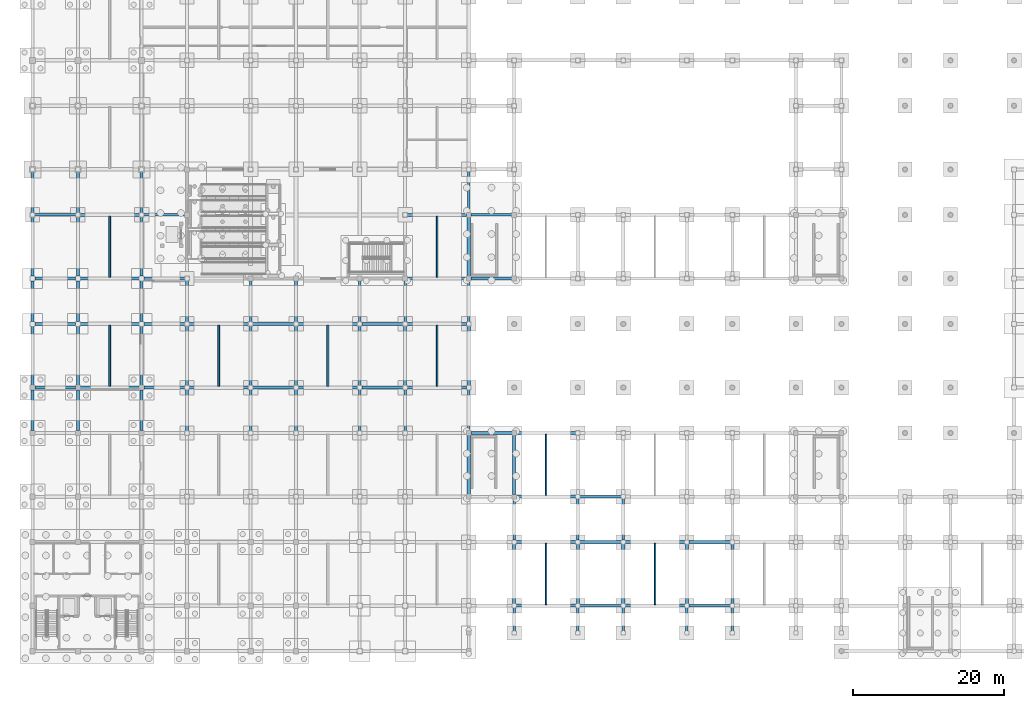
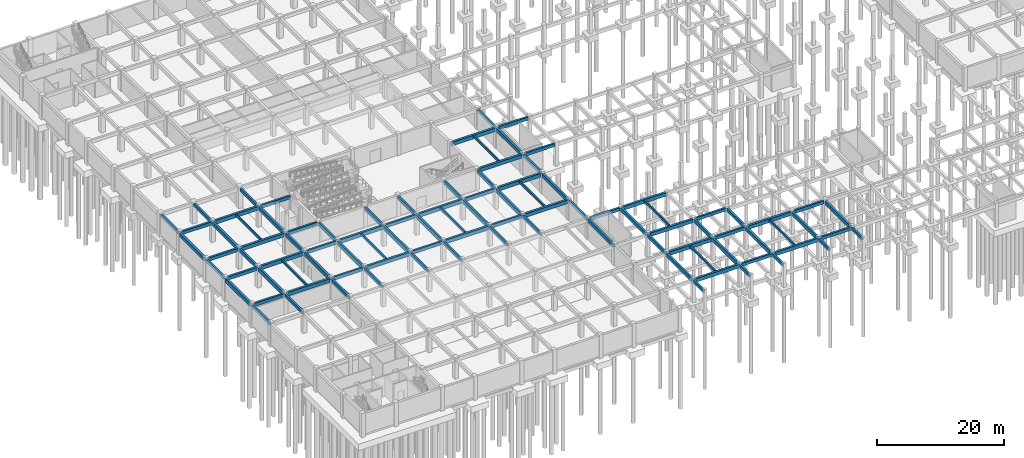
# One storey, part 18 of 40: 97 beams.
"""IFC4 building model written with IfcOpenShell, lengths in metres."""

from ifc_helpers import new_model, si_unit, direction, frame, origin, origin_2d, place, context, subcontext, project, spatial, rectangle, extrude, material, material_profile, profile_set, type_object, element, save


model = new_model("IFC4")

# Units and contexts
model_context = context("Model", 3, precision=1e-05, world=origin(), true_north=direction((0.0, 1.0)))
body_context = subcontext(model_context, "Body", "Model", "MODEL_VIEW")
ifc_project = project(units=[si_unit("LENGTHUNIT", "METRE"), si_unit("AREAUNIT", "SQUARE_METRE"), si_unit("VOLUMEUNIT", "CUBIC_METRE"), si_unit("PLANEANGLEUNIT", "RADIAN"), si_unit("MASSUNIT", "GRAM", prefix="KILO"), si_unit("THERMODYNAMICTEMPERATUREUNIT", "KELVIN")], contexts=[model_context])

# Site, building, storey
site_placement = place(None, origin())
site = spatial("IfcSite", under=ifc_project, at=site_placement, CompositionType="ELEMENT")
building_placement = place(site_placement, origin())
building = spatial("IfcBuilding", under=site, at=building_placement, Name="Thalorik Housing Commons", CompositionType="ELEMENT")
storey_placement = place(building_placement, frame((0.0, 0.0, -4.199951171875)))
storey = spatial("IfcBuildingStorey", under=building, at=storey_placement, Name="B1", CompositionType="ELEMENT", Elevation=-4.199951171875)

# Beams
ifc_material = material(Name="Precast concrete C40/50", Category="concrete")
ifc_material_profile_1 = material_profile(ifc_material, rectangle(XDim=0.35009765625, YDim=0.60009765625, at=origin_2d()), Name="PC 350x600", Category="concrete")
ifc_profile_set_1 = profile_set([ifc_material_profile_1], Name="Precast concrete C40/50")
beam_type_1 = type_object("IfcBeamType", Name="STR-BM-PC350x600", PredefinedType="BEAM", material=ifc_profile_set_1)
for number, where, z_axis, x_axis, name in (
    (1, (80.64990234375, 14.39990234375, 3.599853515625), (1.0, 0.0, 0.0), (0.0, 1.0, 0.0), "B1 Beam B-600"),
    (2, (95.050048828125, 14.39990234375, 3.599853515625), (1.0, 0.0, 0.0), (0.0, 1.0, 0.0), "B1 Beam B-600"),
    (3, (80.64990234375, 22.800048828125, 3.599853515625), (1.0, 0.0, 0.0), (0.0, 1.0, 0.0), "B1 Beam B-600"),
    (4, (95.050048828125, 22.800048828125, 3.599853515625), (1.0, 0.0, 0.0), (0.0, 1.0, 0.0), "B1 Beam B-600"),
    (5, (80.64990234375, 28.800048828125, 3.599853515625), (1.0, 0.0, 0.0), (0.0, 1.0, 0.0), "B1 Beam B-600"),
):
    element("IfcBeam", number, at=place(storey_placement, frame(where, z_axis=z_axis, x_axis=x_axis)), inside=storey, type_object=beam_type_1, Name=name, PredefinedType="BEAM", context=body_context, shape_type="SweptSolid", body=[
        extrude(rectangle(XDim=0.35009765625, YDim=0.60009765625, at=origin_2d()), origin(), (0.0, 0.0, 1.0), 5.5),
    ])
beam_1_placement = place(storey_placement, frame((66.27490234375, 37.199951171875, 3.599853515625), z_axis=(1.0, 0.0, 0.0), x_axis=(0.0, 1.0, 0.0)))
element("IfcBeam", 6, at=beam_1_placement, inside=storey, type_object=beam_type_1, Name="B1 Beam B-600", PredefinedType="BEAM", context=body_context, shape_type="SweptSolid", body=[
    extrude(rectangle(XDim=0.35009765625, YDim=0.60009765625, at=origin_2d()), origin(), (0.0, 0.0, 1.0), 5.47509765625),
])
beam_2_placement = place(storey_placement, frame((8.699951171875, 43.199951171875, 3.599853515625), z_axis=(1.0, 0.0, 0.0), x_axis=(0.0, 1.0, 0.0)))
element("IfcBeam", 7, at=beam_2_placement, inside=storey, type_object=beam_type_1, Name="B1 Beam B-600", PredefinedType="BEAM", context=body_context, shape_type="SweptSolid", body=[
    extrude(rectangle(XDim=0.35009765625, YDim=0.60009765625, at=origin_2d()), origin(), (0.0, 0.0, 1.0), 5.400146484375),
])
beam_3_placement = place(storey_placement, frame((23.10009765625, 43.199951171875, 3.599853515625), z_axis=(1.0, 0.0, 0.0), x_axis=(0.0, 1.0, 0.0)))
element("IfcBeam", 8, at=beam_3_placement, inside=storey, type_object=beam_type_1, Name="B1 Beam B-600", PredefinedType="BEAM", context=body_context, shape_type="SweptSolid", body=[
    extrude(rectangle(XDim=0.35009765625, YDim=0.60009765625, at=origin_2d()), origin(), (0.0, 0.0, 1.0), 5.4248046875),
])
for number, where, z_axis, x_axis, name in (
    (9, (37.47509765625, 43.199951171875, 3.599853515625), (1.0, 0.0, 0.0), (0.0, 1.0, 0.0), "B1 Beam B-600"),
    (10, (51.875, 43.199951171875, 3.599853515625), (1.0, 0.0, 0.0), (0.0, 1.0, 0.0), "B1 Beam B-600"),
):
    element("IfcBeam", number, at=place(storey_placement, frame(where, z_axis=z_axis, x_axis=x_axis)), inside=storey, type_object=beam_type_1, Name=name, PredefinedType="BEAM", context=body_context, shape_type="SweptSolid", body=[
        extrude(rectangle(XDim=0.35009765625, YDim=0.60009765625, at=origin_2d()), origin(), (0.0, 0.0, 1.0), 5.449951171875),
    ])
beam_4_placement = place(storey_placement, frame((8.699951171875, 51.60009765625, 3.599853515625), z_axis=(1.0, 0.0, 0.0), x_axis=(0.0, 1.0, 0.0)))
element("IfcBeam", 11, at=beam_4_placement, inside=storey, type_object=beam_type_1, Name="B1 Beam B-600", PredefinedType="BEAM", context=body_context, shape_type="SweptSolid", body=[
    extrude(rectangle(XDim=0.35009765625, YDim=0.60009765625, at=origin_2d()), origin(), (0.0, 0.0, 1.0), 5.400146484375),
])
beam_5_placement = place(storey_placement, frame((23.10009765625, 51.60009765625, 3.599853515625), z_axis=(1.0, 0.0, 0.0), x_axis=(0.0, 1.0, 0.0)))
element("IfcBeam", 12, at=beam_5_placement, inside=storey, type_object=beam_type_1, Name="B1 Beam B-600", PredefinedType="BEAM", context=body_context, shape_type="SweptSolid", body=[
    extrude(rectangle(XDim=0.35009765625, YDim=0.60009765625, at=origin_2d()), origin(), (0.0, 0.0, 1.0), 5.4248046875),
])
for number, where, z_axis, x_axis, name in (
    (13, (37.47509765625, 51.60009765625, 3.599853515625), (1.0, 0.0, 0.0), (0.0, 1.0, 0.0), "B1 Beam B-600"),
    (14, (51.875, 51.60009765625, 3.599853515625), (1.0, 0.0, 0.0), (0.0, 1.0, 0.0), "B1 Beam B-600"),
):
    element("IfcBeam", number, at=place(storey_placement, frame(where, z_axis=z_axis, x_axis=x_axis)), inside=storey, type_object=beam_type_1, Name=name, PredefinedType="BEAM", context=body_context, shape_type="SweptSolid", body=[
        extrude(rectangle(XDim=0.35009765625, YDim=0.60009765625, at=origin_2d()), origin(), (0.0, 0.0, 1.0), 5.449951171875),
    ])
beam_6_placement = place(storey_placement, frame((8.699951171875, 57.60009765625, 3.599853515625), z_axis=(1.0, 0.0, 0.0), x_axis=(0.0, 1.0, 0.0)))
element("IfcBeam", 15, at=beam_6_placement, inside=storey, type_object=beam_type_1, Name="B1 Beam B-600", PredefinedType="BEAM", context=body_context, shape_type="SweptSolid", body=[
    extrude(rectangle(XDim=0.35009765625, YDim=0.60009765625, at=origin_2d()), origin(), (0.0, 0.0, 1.0), 5.400146484375),
])
beam_7_placement = place(storey_placement, frame((23.10009765625, 57.60009765625, 3.599853515625), z_axis=(1.0, 0.0, 0.0), x_axis=(0.0, 1.0, 0.0)))
element("IfcBeam", 16, at=beam_7_placement, inside=storey, type_object=beam_type_1, Name="B1 Beam B-600", PredefinedType="BEAM", context=body_context, shape_type="SweptSolid", body=[
    extrude(rectangle(XDim=0.35009765625, YDim=0.60009765625, at=origin_2d()), origin(), (0.0, 0.0, 1.0), 5.4248046875),
])
beam_8_placement = place(storey_placement, frame((66.27490234375, 57.60009765625, 3.599853515625), z_axis=(1.0, 0.0, 0.0), x_axis=(0.0, 1.0, 0.0)))
element("IfcBeam", 17, at=beam_8_placement, inside=storey, type_object=beam_type_1, Name="B1 Beam B-600", PredefinedType="BEAM", context=body_context, shape_type="SweptSolid", body=[
    extrude(rectangle(XDim=0.35009765625, YDim=0.60009765625, at=origin_2d()), origin(), (0.0, 0.0, 1.0), 5.4501953125),
])
for number, where, z_axis, x_axis, name in (
    (18, (8.675048828125, 66.0, 3.599853515625), (1.0, 0.0, 0.0), (0.0, 1.0, 0.0), "B1 Beam B-600"),
    (19, (23.074951171875, 66.0, 3.599853515625), (1.0, 0.0, 0.0), (0.0, 1.0, 0.0), "B1 Beam B-600"),
):
    element("IfcBeam", number, at=place(storey_placement, frame(where, z_axis=z_axis, x_axis=x_axis)), inside=storey, type_object=beam_type_1, Name=name, PredefinedType="BEAM", context=body_context, shape_type="SweptSolid", body=[
        extrude(rectangle(XDim=0.35009765625, YDim=0.60009765625, at=origin_2d()), origin(), (0.0, 0.0, 1.0), 5.449951171875),
    ])
beam_9_placement = place(storey_placement, frame((66.27490234375, 66.0, 3.599853515625), z_axis=(1.0, 0.0, 0.0), x_axis=(0.0, 1.0, 0.0)))
element("IfcBeam", 20, at=beam_9_placement, inside=storey, type_object=beam_type_1, Name="B1 Beam B-600", PredefinedType="BEAM", context=body_context, shape_type="SweptSolid", body=[
    extrude(rectangle(XDim=0.35009765625, YDim=0.60009765625, at=origin_2d()), origin(), (0.0, 0.0, 1.0), 5.4501953125),
])
beam_10_placement = place(storey_placement, frame((8.39990234375, 37.5, 3.599853515625), z_axis=(0.0, 1.0, 0.0), x_axis=(-1.0, 0.0, 0.0)))
element("IfcBeam", 21, at=beam_10_placement, inside=storey, type_object=beam_type_1, Name="B1 Beam B-600", PredefinedType="BEAM", context=body_context, shape_type="SweptSolid", body=[
    extrude(rectangle(XDim=0.35009765625, YDim=0.60009765625, at=origin_2d()), origin(), (0.0, 0.0, 1.0), 5.39990234375),
])
beam_11_placement = place(storey_placement, frame((8.39990234375, 51.89990234375, 3.599853515625), z_axis=(0.0, 1.0, 0.0), x_axis=(-1.0, 0.0, 0.0)))
element("IfcBeam", 22, at=beam_11_placement, inside=storey, type_object=beam_type_1, Name="B1 Beam B-600", PredefinedType="BEAM", context=body_context, shape_type="SweptSolid", body=[
    extrude(rectangle(XDim=0.35009765625, YDim=0.60009765625, at=origin_2d()), origin(), (0.0, 0.0, 1.0), 5.400146484375),
])
beam_12_placement = place(storey_placement, frame((8.39990234375, 66.27490234375, 3.599853515625), z_axis=(0.0, 1.0, 0.0), x_axis=(-1.0, 0.0, 0.0)))
element("IfcBeam", 23, at=beam_12_placement, inside=storey, type_object=beam_type_1, Name="B1 Beam B-600", PredefinedType="BEAM", context=body_context, shape_type="SweptSolid", body=[
    extrude(rectangle(XDim=0.35009765625, YDim=0.60009765625, at=origin_2d()), origin(), (0.0, 0.0, 1.0), 5.375),
])
beam_13_placement = place(storey_placement, frame((14.39990234375, 37.5, 3.599853515625), z_axis=(0.0, 1.0, 0.0), x_axis=(-1.0, 0.0, 0.0)))
element("IfcBeam", 24, at=beam_13_placement, inside=storey, type_object=beam_type_1, Name="B1 Beam B-600", PredefinedType="BEAM", context=body_context, shape_type="SweptSolid", body=[
    extrude(rectangle(XDim=0.35009765625, YDim=0.60009765625, at=origin_2d()), origin(), (0.0, 0.0, 1.0), 5.39990234375),
])
beam_14_placement = place(storey_placement, frame((14.39990234375, 51.89990234375, 3.599853515625), z_axis=(0.0, 1.0, 0.0), x_axis=(-1.0, 0.0, 0.0)))
element("IfcBeam", 25, at=beam_14_placement, inside=storey, type_object=beam_type_1, Name="B1 Beam B-600", PredefinedType="BEAM", context=body_context, shape_type="SweptSolid", body=[
    extrude(rectangle(XDim=0.35009765625, YDim=0.60009765625, at=origin_2d()), origin(), (0.0, 0.0, 1.0), 5.400146484375),
])
beam_15_placement = place(storey_placement, frame((14.39990234375, 66.27490234375, 3.599853515625), z_axis=(0.0, 1.0, 0.0), x_axis=(-1.0, 0.0, 0.0)))
element("IfcBeam", 26, at=beam_15_placement, inside=storey, type_object=beam_type_1, Name="B1 Beam B-600", PredefinedType="BEAM", context=body_context, shape_type="SweptSolid", body=[
    extrude(rectangle(XDim=0.35009765625, YDim=0.60009765625, at=origin_2d()), origin(), (0.0, 0.0, 1.0), 5.375),
])
beam_16_placement = place(storey_placement, frame((22.800048828125, 37.5, 3.599853515625), z_axis=(0.0, 1.0, 0.0), x_axis=(-1.0, 0.0, 0.0)))
element("IfcBeam", 27, at=beam_16_placement, inside=storey, type_object=beam_type_1, Name="B1 Beam B-600", PredefinedType="BEAM", context=body_context, shape_type="SweptSolid", body=[
    extrude(rectangle(XDim=0.35009765625, YDim=0.60009765625, at=origin_2d()), origin(), (0.0, 0.0, 1.0), 5.39990234375),
])
beam_17_placement = place(storey_placement, frame((22.800048828125, 51.89990234375, 3.599853515625), z_axis=(0.0, 1.0, 0.0), x_axis=(-1.0, 0.0, 0.0)))
element("IfcBeam", 28, at=beam_17_placement, inside=storey, type_object=beam_type_1, Name="B1 Beam B-600", PredefinedType="BEAM", context=body_context, shape_type="SweptSolid", body=[
    extrude(rectangle(XDim=0.35009765625, YDim=0.60009765625, at=origin_2d()), origin(), (0.0, 0.0, 1.0), 5.400146484375),
])
beam_18_placement = place(storey_placement, frame((22.800048828125, 66.27490234375, 3.599853515625), z_axis=(0.0, 1.0, 0.0), x_axis=(-1.0, 0.0, 0.0)))
element("IfcBeam", 29, at=beam_18_placement, inside=storey, type_object=beam_type_1, Name="B1 Beam B-600", PredefinedType="BEAM", context=body_context, shape_type="SweptSolid", body=[
    extrude(rectangle(XDim=0.35009765625, YDim=0.60009765625, at=origin_2d()), origin(), (0.0, 0.0, 1.0), 5.375),
])
for number, where, z_axis, x_axis, name in (
    (30, (28.800048828125, 37.47509765625, 3.599853515625), (0.0, 1.0, 0.0), (-1.0, 0.0, 0.0), "B1 Beam B-600"),
    (31, (28.800048828125, 51.875, 3.599853515625), (0.0, 1.0, 0.0), (-1.0, 0.0, 0.0), "B1 Beam B-600"),
    (32, (37.199951171875, 37.47509765625, 3.599853515625), (0.0, 1.0, 0.0), (-1.0, 0.0, 0.0), "B1 Beam B-600"),
    (33, (37.199951171875, 51.875, 3.599853515625), (0.0, 1.0, 0.0), (-1.0, 0.0, 0.0), "B1 Beam B-600"),
    (34, (43.199951171875, 37.47509765625, 3.599853515625), (0.0, 1.0, 0.0), (-1.0, 0.0, 0.0), "B1 Beam B-600"),
    (35, (43.199951171875, 51.875, 3.599853515625), (0.0, 1.0, 0.0), (-1.0, 0.0, 0.0), "B1 Beam B-600"),
    (36, (51.60009765625, 37.47509765625, 3.599853515625), (0.0, 1.0, 0.0), (-1.0, 0.0, 0.0), "B1 Beam B-600"),
    (37, (51.60009765625, 51.875, 3.599853515625), (0.0, 1.0, 0.0), (-1.0, 0.0, 0.0), "B1 Beam B-600"),
    (38, (57.60009765625, 37.47509765625, 3.599853515625), (0.0, 1.0, 0.0), (-1.0, 0.0, 0.0), "B1 Beam B-600"),
    (39, (57.60009765625, 51.875, 3.599853515625), (0.0, 1.0, 0.0), (-1.0, 0.0, 0.0), "B1 Beam B-600"),
    (40, (66.0, 37.47509765625, 3.599853515625), (0.0, 1.0, 0.0), (-1.0, 0.0, 0.0), "B1 Beam B-600"),
    (41, (66.0, 51.875, 3.599853515625), (0.0, 1.0, 0.0), (-1.0, 0.0, 0.0), "B1 Beam B-600"),
):
    element("IfcBeam", number, at=place(storey_placement, frame(where, z_axis=z_axis, x_axis=x_axis)), inside=storey, type_object=beam_type_1, Name=name, PredefinedType="BEAM", context=body_context, shape_type="SweptSolid", body=[
        extrude(rectangle(XDim=0.35009765625, YDim=0.60009765625, at=origin_2d()), origin(), (0.0, 0.0, 1.0), 5.449951171875),
    ])
beam_19_placement = place(storey_placement, frame((66.0, 66.27490234375, 3.599853515625), z_axis=(0.0, 1.0, 0.0), x_axis=(-1.0, 0.0, 0.0)))
element("IfcBeam", 42, at=beam_19_placement, inside=storey, type_object=beam_type_1, Name="B1 Beam B-600", PredefinedType="BEAM", context=body_context, shape_type="SweptSolid", body=[
    extrude(rectangle(XDim=0.35009765625, YDim=0.60009765625, at=origin_2d()), origin(), (0.0, 0.0, 1.0), 5.4501953125),
])
beam_20_placement = place(storey_placement, frame((72.0, 11.02490234375, 3.599853515625), z_axis=(0.0, 1.0, 0.0), x_axis=(-1.0, 0.0, 0.0)))
element("IfcBeam", 43, at=beam_20_placement, inside=storey, type_object=beam_type_1, Name="B1 Beam B-600", PredefinedType="BEAM", context=body_context, shape_type="SweptSolid", body=[
    extrude(rectangle(XDim=0.35009765625, YDim=0.60009765625, at=origin_2d()), origin(), (0.0, 0.0, 1.0), 3.125),
])
beam_21_placement = place(storey_placement, frame((72.0, 23.050048828125, 3.599853515625), z_axis=(0.0, 1.0, 0.0), x_axis=(-1.0, 0.0, 0.0)))
element("IfcBeam", 44, at=beam_21_placement, inside=storey, type_object=beam_type_1, Name="B1 Beam B-600", PredefinedType="BEAM", context=body_context, shape_type="SweptSolid", body=[
    extrude(rectangle(XDim=0.35009765625, YDim=0.60009765625, at=origin_2d()), origin(), (0.0, 0.0, 1.0), 5.5),
])
beam_22_placement = place(storey_placement, frame((80.39990234375, 11.02490234375, 3.599853515625), z_axis=(0.0, 1.0, 0.0), x_axis=(-1.0, 0.0, 0.0)))
element("IfcBeam", 45, at=beam_22_placement, inside=storey, type_object=beam_type_1, Name="B1 Beam B-600", PredefinedType="BEAM", context=body_context, shape_type="SweptSolid", body=[
    extrude(rectangle(XDim=0.35009765625, YDim=0.60009765625, at=origin_2d()), origin(), (0.0, 0.0, 1.0), 3.125),
])
beam_23_placement = place(storey_placement, frame((80.39990234375, 23.050048828125, 3.599853515625), z_axis=(0.0, 1.0, 0.0), x_axis=(-1.0, 0.0, 0.0)))
element("IfcBeam", 46, at=beam_23_placement, inside=storey, type_object=beam_type_1, Name="B1 Beam B-600", PredefinedType="BEAM", context=body_context, shape_type="SweptSolid", body=[
    extrude(rectangle(XDim=0.35009765625, YDim=0.60009765625, at=origin_2d()), origin(), (0.0, 0.0, 1.0), 5.5),
])
beam_24_placement = place(storey_placement, frame((86.39990234375, 11.02490234375, 3.599853515625), z_axis=(0.0, 1.0, 0.0), x_axis=(-1.0, 0.0, 0.0)))
element("IfcBeam", 47, at=beam_24_placement, inside=storey, type_object=beam_type_1, Name="B1 Beam B-600", PredefinedType="BEAM", context=body_context, shape_type="SweptSolid", body=[
    extrude(rectangle(XDim=0.35009765625, YDim=0.60009765625, at=origin_2d()), origin(), (0.0, 0.0, 1.0), 3.125),
])
beam_25_placement = place(storey_placement, frame((86.39990234375, 23.050048828125, 3.599853515625), z_axis=(0.0, 1.0, 0.0), x_axis=(-1.0, 0.0, 0.0)))
element("IfcBeam", 48, at=beam_25_placement, inside=storey, type_object=beam_type_1, Name="B1 Beam B-600", PredefinedType="BEAM", context=body_context, shape_type="SweptSolid", body=[
    extrude(rectangle(XDim=0.35009765625, YDim=0.60009765625, at=origin_2d()), origin(), (0.0, 0.0, 1.0), 5.5),
])
for number, where, z_axis, x_axis, name in (
    (49, (94.800048828125, 11.02490234375, 3.599853515625), (0.0, 1.0, 0.0), (-1.0, 0.0, 0.0), "B1 Beam B-600"),
    (50, (100.800048828125, 11.02490234375, 3.599853515625), (0.0, 1.0, 0.0), (-1.0, 0.0, 0.0), "B1 Beam B-600"),
):
    element("IfcBeam", number, at=place(storey_placement, frame(where, z_axis=z_axis, x_axis=x_axis)), inside=storey, type_object=beam_type_1, Name=name, PredefinedType="BEAM", context=body_context, shape_type="SweptSolid", body=[
        extrude(rectangle(XDim=0.35009765625, YDim=0.60009765625, at=origin_2d()), origin(), (0.0, 0.0, 1.0), 3.125),
    ])
ifc_material_profile_2 = material_profile(ifc_material, rectangle(XDim=0.39990234375, YDim=0.699951171875, at=origin_2d()), Name="PC 400x700", Category="concrete")
ifc_profile_set_2 = profile_set([ifc_material_profile_2], Name="Precast concrete C40/50")
beam_type_2 = type_object("IfcBeamType", Name="STR-BM-PC400x700", PredefinedType="BEAM", material=ifc_profile_set_2)
beam_26_placement = place(storey_placement, frame((72.25, 14.39990234375, 3.550048828125), z_axis=(1.0, 0.0, 0.0), x_axis=(0.0, 1.0, 0.0)))
element("IfcBeam", 51, at=beam_26_placement, inside=storey, type_object=beam_type_2, Name="B1 Beam B-700", PredefinedType="BEAM", context=body_context, shape_type="SweptSolid", body=[
    extrude(rectangle(XDim=0.39990234375, YDim=0.699951171875, at=origin_2d()), origin(), (0.0, 0.0, 1.0), 7.89990234375),
])
beam_27_placement = place(storey_placement, frame((86.64990234375, 14.39990234375, 3.550048828125), z_axis=(1.0, 0.0, 0.0), x_axis=(0.0, 1.0, 0.0)))
element("IfcBeam", 52, at=beam_27_placement, inside=storey, type_object=beam_type_2, Name="B1 Beam B-700", PredefinedType="BEAM", context=body_context, shape_type="SweptSolid", body=[
    extrude(rectangle(XDim=0.39990234375, YDim=0.699951171875, at=origin_2d()), origin(), (0.0, 0.0, 1.0), 7.900146484375),
])
beam_28_placement = place(storey_placement, frame((72.25, 22.800048828125, 3.550048828125), z_axis=(1.0, 0.0, 0.0), x_axis=(0.0, 1.0, 0.0)))
element("IfcBeam", 53, at=beam_28_placement, inside=storey, type_object=beam_type_2, Name="B1 Beam B-700", PredefinedType="BEAM", context=body_context, shape_type="SweptSolid", body=[
    extrude(rectangle(XDim=0.39990234375, YDim=0.699951171875, at=origin_2d()), origin(), (0.0, 0.0, 1.0), 7.89990234375),
])
beam_29_placement = place(storey_placement, frame((86.64990234375, 22.800048828125, 3.550048828125), z_axis=(1.0, 0.0, 0.0), x_axis=(0.0, 1.0, 0.0)))
element("IfcBeam", 54, at=beam_29_placement, inside=storey, type_object=beam_type_2, Name="B1 Beam B-700", PredefinedType="BEAM", context=body_context, shape_type="SweptSolid", body=[
    extrude(rectangle(XDim=0.39990234375, YDim=0.699951171875, at=origin_2d()), origin(), (0.0, 0.0, 1.0), 7.900146484375),
])
for number, where, z_axis, x_axis, name in (
    (55, (72.25, 28.800048828125, 3.550048828125), (1.0, 0.0, 0.0), (0.0, 1.0, 0.0), "B1 Beam B-700"),
    (56, (72.25, 37.199951171875, 3.550048828125), (1.0, 0.0, 0.0), (0.0, 1.0, 0.0), "B1 Beam B-700"),
):
    element("IfcBeam", number, at=place(storey_placement, frame(where, z_axis=z_axis, x_axis=x_axis)), inside=storey, type_object=beam_type_2, Name=name, PredefinedType="BEAM", context=body_context, shape_type="SweptSolid", body=[
        extrude(rectangle(XDim=0.39990234375, YDim=0.699951171875, at=origin_2d()), origin(), (0.0, 0.0, 1.0), 7.89990234375),
    ])
beam_30_placement = place(storey_placement, frame((14.699951171875, 43.199951171875, 3.550048828125), z_axis=(1.0, 0.0, 0.0), x_axis=(0.0, 1.0, 0.0)))
element("IfcBeam", 57, at=beam_30_placement, inside=storey, type_object=beam_type_2, Name="B1 Beam B-700", PredefinedType="BEAM", context=body_context, shape_type="SweptSolid", body=[
    extrude(rectangle(XDim=0.39990234375, YDim=0.699951171875, at=origin_2d()), origin(), (0.0, 0.0, 1.0), 7.800048828125),
])
beam_31_placement = place(storey_placement, frame((29.074951171875, 43.199951171875, 3.550048828125), z_axis=(1.0, 0.0, 0.0), x_axis=(0.0, 1.0, 0.0)))
element("IfcBeam", 58, at=beam_31_placement, inside=storey, type_object=beam_type_2, Name="B1 Beam B-700", PredefinedType="BEAM", context=body_context, shape_type="SweptSolid", body=[
    extrude(rectangle(XDim=0.39990234375, YDim=0.699951171875, at=origin_2d()), origin(), (0.0, 0.0, 1.0), 7.85009765625),
])
beam_32_placement = place(storey_placement, frame((43.47509765625, 43.199951171875, 3.550048828125), z_axis=(1.0, 0.0, 0.0), x_axis=(0.0, 1.0, 0.0)))
element("IfcBeam", 59, at=beam_32_placement, inside=storey, type_object=beam_type_2, Name="B1 Beam B-700", PredefinedType="BEAM", context=body_context, shape_type="SweptSolid", body=[
    extrude(rectangle(XDim=0.39990234375, YDim=0.699951171875, at=origin_2d()), origin(), (0.0, 0.0, 1.0), 7.849853515625),
])
beam_33_placement = place(storey_placement, frame((57.875, 43.199951171875, 3.550048828125), z_axis=(1.0, 0.0, 0.0), x_axis=(0.0, 1.0, 0.0)))
element("IfcBeam", 60, at=beam_33_placement, inside=storey, type_object=beam_type_2, Name="B1 Beam B-700", PredefinedType="BEAM", context=body_context, shape_type="SweptSolid", body=[
    extrude(rectangle(XDim=0.39990234375, YDim=0.699951171875, at=origin_2d()), origin(), (0.0, 0.0, 1.0), 7.85009765625),
])
beam_34_placement = place(storey_placement, frame((14.699951171875, 51.60009765625, 3.550048828125), z_axis=(1.0, 0.0, 0.0), x_axis=(0.0, 1.0, 0.0)))
element("IfcBeam", 61, at=beam_34_placement, inside=storey, type_object=beam_type_2, Name="B1 Beam B-700", PredefinedType="BEAM", context=body_context, shape_type="SweptSolid", body=[
    extrude(rectangle(XDim=0.39990234375, YDim=0.699951171875, at=origin_2d()), origin(), (0.0, 0.0, 1.0), 7.800048828125),
])
beam_35_placement = place(storey_placement, frame((29.074951171875, 51.60009765625, 3.550048828125), z_axis=(1.0, 0.0, 0.0), x_axis=(0.0, 1.0, 0.0)))
element("IfcBeam", 62, at=beam_35_placement, inside=storey, type_object=beam_type_2, Name="B1 Beam B-700", PredefinedType="BEAM", context=body_context, shape_type="SweptSolid", body=[
    extrude(rectangle(XDim=0.39990234375, YDim=0.699951171875, at=origin_2d()), origin(), (0.0, 0.0, 1.0), 7.85009765625),
])
beam_36_placement = place(storey_placement, frame((43.47509765625, 51.60009765625, 3.550048828125), z_axis=(1.0, 0.0, 0.0), x_axis=(0.0, 1.0, 0.0)))
element("IfcBeam", 63, at=beam_36_placement, inside=storey, type_object=beam_type_2, Name="B1 Beam B-700", PredefinedType="BEAM", context=body_context, shape_type="SweptSolid", body=[
    extrude(rectangle(XDim=0.39990234375, YDim=0.699951171875, at=origin_2d()), origin(), (0.0, 0.0, 1.0), 7.849853515625),
])
beam_37_placement = place(storey_placement, frame((57.875, 51.60009765625, 3.550048828125), z_axis=(1.0, 0.0, 0.0), x_axis=(0.0, 1.0, 0.0)))
element("IfcBeam", 64, at=beam_37_placement, inside=storey, type_object=beam_type_2, Name="B1 Beam B-700", PredefinedType="BEAM", context=body_context, shape_type="SweptSolid", body=[
    extrude(rectangle(XDim=0.39990234375, YDim=0.699951171875, at=origin_2d()), origin(), (0.0, 0.0, 1.0), 7.85009765625),
])
beam_38_placement = place(storey_placement, frame((14.699951171875, 57.60009765625, 3.550048828125), z_axis=(1.0, 0.0, 0.0), x_axis=(0.0, 1.0, 0.0)))
element("IfcBeam", 65, at=beam_38_placement, inside=storey, type_object=beam_type_2, Name="B1 Beam B-700", PredefinedType="BEAM", context=body_context, shape_type="SweptSolid", body=[
    extrude(rectangle(XDim=0.39990234375, YDim=0.699951171875, at=origin_2d()), origin(), (0.0, 0.0, 1.0), 7.800048828125),
])
beam_39_placement = place(storey_placement, frame((57.875, 57.60009765625, 3.550048828125), z_axis=(1.0, 0.0, 0.0), x_axis=(0.0, 1.0, 0.0)))
element("IfcBeam", 66, at=beam_39_placement, inside=storey, type_object=beam_type_2, Name="B1 Beam B-700", PredefinedType="BEAM", context=body_context, shape_type="SweptSolid", body=[
    extrude(rectangle(XDim=0.39990234375, YDim=0.699951171875, at=origin_2d()), origin(), (0.0, 0.0, 1.0), 7.85009765625),
])
beam_40_placement = place(storey_placement, frame((14.675048828125, 66.0, 3.550048828125), z_axis=(1.0, 0.0, 0.0), x_axis=(0.0, 1.0, 0.0)))
element("IfcBeam", 67, at=beam_40_placement, inside=storey, type_object=beam_type_2, Name="B1 Beam B-700", PredefinedType="BEAM", context=body_context, shape_type="SweptSolid", body=[
    extrude(rectangle(XDim=0.39990234375, YDim=0.699951171875, at=origin_2d()), origin(), (0.0, 0.0, 1.0), 7.849853515625),
])
beam_41_placement = place(storey_placement, frame((57.875, 66.0, 3.550048828125), z_axis=(1.0, 0.0, 0.0), x_axis=(0.0, 1.0, 0.0)))
element("IfcBeam", 68, at=beam_41_placement, inside=storey, type_object=beam_type_2, Name="B1 Beam B-700", PredefinedType="BEAM", context=body_context, shape_type="SweptSolid", body=[
    extrude(rectangle(XDim=0.39990234375, YDim=0.699951171875, at=origin_2d()), origin(), (0.0, 0.0, 1.0), 7.85009765625),
])
beam_42_placement = place(storey_placement, frame((8.39990234375, 43.5, 3.550048828125), z_axis=(0.0, 1.0, 0.0), x_axis=(-1.0, 0.0, 0.0)))
element("IfcBeam", 69, at=beam_42_placement, inside=storey, type_object=beam_type_2, Name="B1 Beam B-700", PredefinedType="BEAM", context=body_context, shape_type="SweptSolid", body=[
    extrude(rectangle(XDim=0.39990234375, YDim=0.699951171875, at=origin_2d()), origin(), (0.0, 0.0, 1.0), 7.800048828125),
])
beam_43_placement = place(storey_placement, frame((8.39990234375, 57.89990234375, 3.550048828125), z_axis=(0.0, 1.0, 0.0), x_axis=(-1.0, 0.0, 0.0)))
element("IfcBeam", 70, at=beam_43_placement, inside=storey, type_object=beam_type_2, Name="B1 Beam B-700", PredefinedType="BEAM", context=body_context, shape_type="SweptSolid", body=[
    extrude(rectangle(XDim=0.39990234375, YDim=0.699951171875, at=origin_2d()), origin(), (0.0, 0.0, 1.0), 7.8251953125),
])
beam_44_placement = place(storey_placement, frame((14.39990234375, 43.5, 3.550048828125), z_axis=(0.0, 1.0, 0.0), x_axis=(-1.0, 0.0, 0.0)))
element("IfcBeam", 71, at=beam_44_placement, inside=storey, type_object=beam_type_2, Name="B1 Beam B-700", PredefinedType="BEAM", context=body_context, shape_type="SweptSolid", body=[
    extrude(rectangle(XDim=0.39990234375, YDim=0.699951171875, at=origin_2d()), origin(), (0.0, 0.0, 1.0), 7.800048828125),
])
beam_45_placement = place(storey_placement, frame((14.39990234375, 57.89990234375, 3.550048828125), z_axis=(0.0, 1.0, 0.0), x_axis=(-1.0, 0.0, 0.0)))
element("IfcBeam", 72, at=beam_45_placement, inside=storey, type_object=beam_type_2, Name="B1 Beam B-700", PredefinedType="BEAM", context=body_context, shape_type="SweptSolid", body=[
    extrude(rectangle(XDim=0.39990234375, YDim=0.699951171875, at=origin_2d()), origin(), (0.0, 0.0, 1.0), 7.8251953125),
])
beam_46_placement = place(storey_placement, frame((22.800048828125, 43.5, 3.550048828125), z_axis=(0.0, 1.0, 0.0), x_axis=(-1.0, 0.0, 0.0)))
element("IfcBeam", 73, at=beam_46_placement, inside=storey, type_object=beam_type_2, Name="B1 Beam B-700", PredefinedType="BEAM", context=body_context, shape_type="SweptSolid", body=[
    extrude(rectangle(XDim=0.39990234375, YDim=0.699951171875, at=origin_2d()), origin(), (0.0, 0.0, 1.0), 7.800048828125),
])
beam_47_placement = place(storey_placement, frame((22.800048828125, 57.89990234375, 3.550048828125), z_axis=(0.0, 1.0, 0.0), x_axis=(-1.0, 0.0, 0.0)))
element("IfcBeam", 74, at=beam_47_placement, inside=storey, type_object=beam_type_2, Name="B1 Beam B-700", PredefinedType="BEAM", context=body_context, shape_type="SweptSolid", body=[
    extrude(rectangle(XDim=0.39990234375, YDim=0.699951171875, at=origin_2d()), origin(), (0.0, 0.0, 1.0), 7.8251953125),
])
for number, where, z_axis, x_axis, name in (
    (75, (28.800048828125, 43.47509765625, 3.550048828125), (0.0, 1.0, 0.0), (-1.0, 0.0, 0.0), "B1 Beam B-700"),
    (76, (37.199951171875, 43.47509765625, 3.550048828125), (0.0, 1.0, 0.0), (-1.0, 0.0, 0.0), "B1 Beam B-700"),
    (77, (43.199951171875, 43.47509765625, 3.550048828125), (0.0, 1.0, 0.0), (-1.0, 0.0, 0.0), "B1 Beam B-700"),
    (78, (51.60009765625, 43.47509765625, 3.550048828125), (0.0, 1.0, 0.0), (-1.0, 0.0, 0.0), "B1 Beam B-700"),
    (79, (57.60009765625, 43.47509765625, 3.550048828125), (0.0, 1.0, 0.0), (-1.0, 0.0, 0.0), "B1 Beam B-700"),
):
    element("IfcBeam", number, at=place(storey_placement, frame(where, z_axis=z_axis, x_axis=x_axis)), inside=storey, type_object=beam_type_2, Name=name, PredefinedType="BEAM", context=body_context, shape_type="SweptSolid", body=[
        extrude(rectangle(XDim=0.39990234375, YDim=0.699951171875, at=origin_2d()), origin(), (0.0, 0.0, 1.0), 7.849853515625),
    ])
beam_48_placement = place(storey_placement, frame((66.0, 29.074951171875, 3.550048828125), z_axis=(0.0, 1.0, 0.0), x_axis=(-1.0, 0.0, 0.0)))
element("IfcBeam", 80, at=beam_48_placement, inside=storey, type_object=beam_type_2, Name="B1 Beam B-700", PredefinedType="BEAM", context=body_context, shape_type="SweptSolid", body=[
    extrude(rectangle(XDim=0.39990234375, YDim=0.699951171875, at=origin_2d()), origin(), (0.0, 0.0, 1.0), 7.85009765625),
])
beam_49_placement = place(storey_placement, frame((66.0, 43.47509765625, 3.550048828125), z_axis=(0.0, 1.0, 0.0), x_axis=(-1.0, 0.0, 0.0)))
element("IfcBeam", 81, at=beam_49_placement, inside=storey, type_object=beam_type_2, Name="B1 Beam B-700", PredefinedType="BEAM", context=body_context, shape_type="SweptSolid", body=[
    extrude(rectangle(XDim=0.39990234375, YDim=0.699951171875, at=origin_2d()), origin(), (0.0, 0.0, 1.0), 7.849853515625),
])
beam_50_placement = place(storey_placement, frame((66.0, 57.875, 3.550048828125), z_axis=(0.0, 1.0, 0.0), x_axis=(-1.0, 0.0, 0.0)))
element("IfcBeam", 82, at=beam_50_placement, inside=storey, type_object=beam_type_2, Name="B1 Beam B-700", PredefinedType="BEAM", context=body_context, shape_type="SweptSolid", body=[
    extrude(rectangle(XDim=0.39990234375, YDim=0.699951171875, at=origin_2d()), origin(), (0.0, 0.0, 1.0), 7.85009765625),
])
beam_51_placement = place(storey_placement, frame((72.0, 14.64990234375, 3.550048828125), z_axis=(0.0, 1.0, 0.0), x_axis=(-1.0, 0.0, 0.0)))
element("IfcBeam", 83, at=beam_51_placement, inside=storey, type_object=beam_type_2, Name="B1 Beam B-700", PredefinedType="BEAM", context=body_context, shape_type="SweptSolid", body=[
    extrude(rectangle(XDim=0.39990234375, YDim=0.699951171875, at=origin_2d()), origin(), (0.0, 0.0, 1.0), 7.900146484375),
])
beam_52_placement = place(storey_placement, frame((72.0, 29.050048828125, 3.550048828125), z_axis=(0.0, 1.0, 0.0), x_axis=(-1.0, 0.0, 0.0)))
element("IfcBeam", 84, at=beam_52_placement, inside=storey, type_object=beam_type_2, Name="B1 Beam B-700", PredefinedType="BEAM", context=body_context, shape_type="SweptSolid", body=[
    extrude(rectangle(XDim=0.39990234375, YDim=0.699951171875, at=origin_2d()), origin(), (0.0, 0.0, 1.0), 7.89990234375),
])
for number, where, z_axis, x_axis, name in (
    (85, (80.39990234375, 14.64990234375, 3.550048828125), (0.0, 1.0, 0.0), (-1.0, 0.0, 0.0), "B1 Beam B-700"),
    (86, (86.39990234375, 14.64990234375, 3.550048828125), (0.0, 1.0, 0.0), (-1.0, 0.0, 0.0), "B1 Beam B-700"),
    (87, (94.800048828125, 14.64990234375, 3.550048828125), (0.0, 1.0, 0.0), (-1.0, 0.0, 0.0), "B1 Beam B-700"),
    (88, (100.800048828125, 14.64990234375, 3.550048828125), (0.0, 1.0, 0.0), (-1.0, 0.0, 0.0), "B1 Beam B-700"),
):
    element("IfcBeam", number, at=place(storey_placement, frame(where, z_axis=z_axis, x_axis=x_axis)), inside=storey, type_object=beam_type_2, Name=name, PredefinedType="BEAM", context=body_context, shape_type="SweptSolid", body=[
        extrude(rectangle(XDim=0.39990234375, YDim=0.699951171875, at=origin_2d()), origin(), (0.0, 0.0, 1.0), 7.900146484375),
    ])
ifc_material_profile_3 = material_profile(ifc_material, rectangle(XDim=0.239990234375, YDim=0.43994140625, at=origin_2d()), Name="PC JST 240x440", Category="concrete")
ifc_profile_set_3 = profile_set([ifc_material_profile_3], Name="Precast concrete C40/50")
beam_type_3 = type_object("IfcBeamType", Name="STR-JST-PC240x440", PredefinedType="JOIST", material=ifc_profile_set_3)
for number, where, z_axis, x_axis, name in (
    (89, (76.199951171875, 14.550048828125, 3.679931640625), (0.0, 1.0, 0.0), (-1.0, 0.0, 0.0), "B1 Beam J-440"),
    (90, (90.60009765625, 14.550048828125, 3.679931640625), (0.0, 1.0, 0.0), (-1.0, 0.0, 0.0), "B1 Beam J-440"),
):
    element("IfcBeam", number, at=place(storey_placement, frame(where, z_axis=z_axis, x_axis=x_axis)), inside=storey, type_object=beam_type_3, Name=name, PredefinedType="JOIST", context=body_context, shape_type="SweptSolid", body=[
        extrude(rectangle(XDim=0.239990234375, YDim=0.43994140625, at=origin_2d()), origin(), (0.0, 0.0, 1.0), 8.099853515625),
    ])
beam_53_placement = place(storey_placement, frame((76.199951171875, 28.949951171875, 3.679931640625), z_axis=(0.0, 1.0, 0.0), x_axis=(-1.0, 0.0, 0.0)))
element("IfcBeam", 91, at=beam_53_placement, inside=storey, type_object=beam_type_3, Name="B1 Beam J-440", PredefinedType="JOIST", context=body_context, shape_type="SweptSolid", body=[
    extrude(rectangle(XDim=0.239990234375, YDim=0.43994140625, at=origin_2d()), origin(), (0.0, 0.0, 1.0), 8.10009765625),
])
for number, where, z_axis, x_axis, name in (
    (92, (18.60009765625, 43.35009765625, 3.679931640625), (0.0, 1.0, 0.0), (-1.0, 0.0, 0.0), "B1 Beam J-440"),
    (93, (33.0, 43.35009765625, 3.679931640625), (0.0, 1.0, 0.0), (-1.0, 0.0, 0.0), "B1 Beam J-440"),
    (94, (47.39990234375, 43.35009765625, 3.679931640625), (0.0, 1.0, 0.0), (-1.0, 0.0, 0.0), "B1 Beam J-440"),
    (95, (61.800048828125, 43.35009765625, 3.679931640625), (0.0, 1.0, 0.0), (-1.0, 0.0, 0.0), "B1 Beam J-440"),
):
    element("IfcBeam", number, at=place(storey_placement, frame(where, z_axis=z_axis, x_axis=x_axis)), inside=storey, type_object=beam_type_3, Name=name, PredefinedType="JOIST", context=body_context, shape_type="SweptSolid", body=[
        extrude(rectangle(XDim=0.239990234375, YDim=0.43994140625, at=origin_2d()), origin(), (0.0, 0.0, 1.0), 8.099853515625),
    ])
for number, where, z_axis, x_axis, name in (
    (96, (18.60009765625, 57.75, 3.679931640625), (0.0, 1.0, 0.0), (-1.0, 0.0, 0.0), "B1 Beam J-440"),
    (97, (61.800048828125, 57.75, 3.679931640625), (0.0, 1.0, 0.0), (-1.0, 0.0, 0.0), "B1 Beam J-440"),
):
    element("IfcBeam", number, at=place(storey_placement, frame(where, z_axis=z_axis, x_axis=x_axis)), inside=storey, type_object=beam_type_3, Name=name, PredefinedType="JOIST", context=body_context, shape_type="SweptSolid", body=[
        extrude(rectangle(XDim=0.239990234375, YDim=0.43994140625, at=origin_2d()), origin(), (0.0, 0.0, 1.0), 8.10009765625),
    ])

save(model, "model.ifc")
